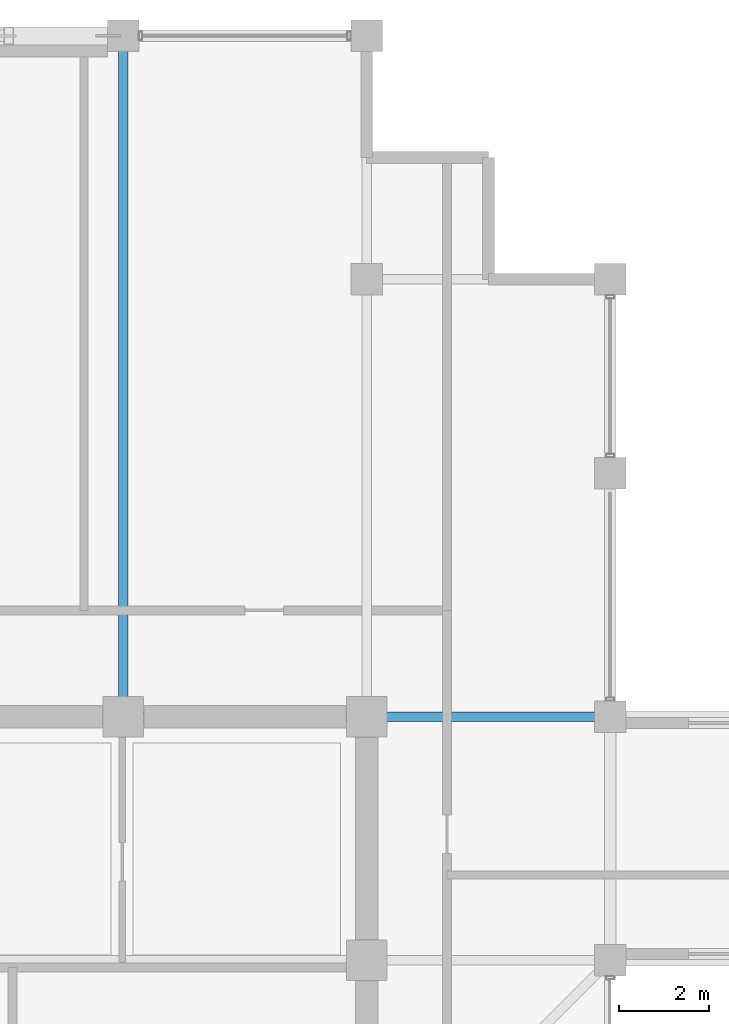
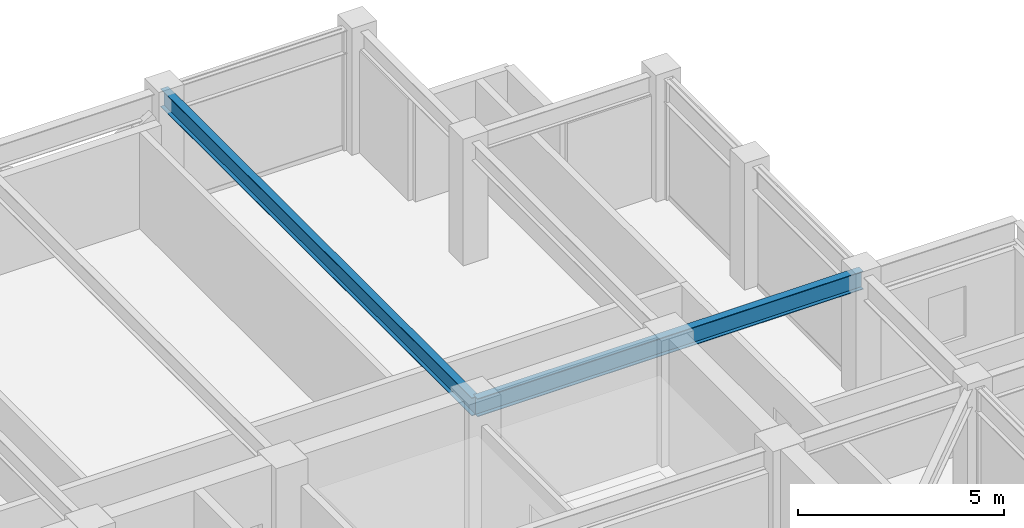
# One storey, part 18 of 31: 2 beams.
"""IFC4 building model written with IfcOpenShell, lengths in metres."""

from ifc_helpers import new_model, si_unit, direction, frame, origin, origin_2d, place, context, subcontext, project, spatial, i_section, extrude, material, material_profile, profile_set, type_object, element, save


model = new_model("IFC4")

# Units and contexts
model_context = context("Model", 3, precision=1e-05, world=origin(), true_north=direction((0.0, 1.0)))
body_context = subcontext(model_context, "Body", "Model", "MODEL_VIEW")
ifc_project = project(units=[si_unit("LENGTHUNIT", "METRE"), si_unit("AREAUNIT", "SQUARE_METRE"), si_unit("VOLUMEUNIT", "CUBIC_METRE"), si_unit("PLANEANGLEUNIT", "RADIAN"), si_unit("MASSUNIT", "GRAM", prefix="KILO")], contexts=[model_context])

# Site, building, storey
site_placement = place(None, origin())
site = spatial("IfcSite", under=ifc_project, at=site_placement, CompositionType="ELEMENT")
building_placement = place(site_placement, origin())
building = spatial("IfcBuilding", under=site, at=building_placement, Name="Surkhivell Harbour Commons", CompositionType="ELEMENT")
storey_placement = place(building_placement, frame((0.0, 0.0, 262.5)))
storey = spatial("IfcBuildingStorey", under=building, at=storey_placement, Name="L68", CompositionType="ELEMENT", Elevation=262.5)

# Beams
ifc_material = material(Name="Steel S355", Category="steel")
ifc_material_profile = material_profile(ifc_material, i_section(OverallWidth=0.2099609375, OverallDepth=0.537109375, WebThickness=0.0107421875, FlangeThickness=0.017333984375, at=origin_2d()), Name="UB533x210x101")
ifc_profile_set = profile_set([ifc_material_profile], Name="Steel S355")
beam_type = type_object("IfcBeamType", Name="BM-GRD-533B", PredefinedType="BEAM", material=ifc_profile_set)
beam_1_placement = place(storey_placement, frame((5.39990234375, 10.800048828125, 3.301513671875), z_axis=(1.0, 0.0, 0.0), x_axis=(0.0, 1.0, 0.0)))
element("IfcBeam", 1, at=beam_1_placement, inside=storey, type_object=beam_type, Name="L68 Cantilever Back-Span Girder (5.4,10.8)", PredefinedType="BEAM", context=body_context, shape_type="SweptSolid", body=[
    extrude(i_section(OverallWidth=0.2099609375, OverallDepth=0.537109375, WebThickness=0.0107421875, FlangeThickness=0.017333984375, at=origin_2d()), origin(), (0.0, 0.0, 1.0), 10.800048828125),
])
beam_2_placement = place(storey_placement, frame((5.39990234375, 10.800048828125, 3.301513671875), z_axis=(0.0, 1.0, 0.0), x_axis=(-1.0, 0.0, 0.0)))
element("IfcBeam", 2, at=beam_2_placement, inside=storey, type_object=beam_type, Name="L68 Floor Girder (5.4,10.8)", PredefinedType="BEAM", context=body_context, shape_type="SweptSolid", body=[
    extrude(i_section(OverallWidth=0.2099609375, OverallDepth=0.537109375, WebThickness=0.0107421875, FlangeThickness=0.017333984375, at=origin_2d()), origin(), (0.0, 0.0, 1.0), 15.099853515625),
])

save(model, "model.ifc")
